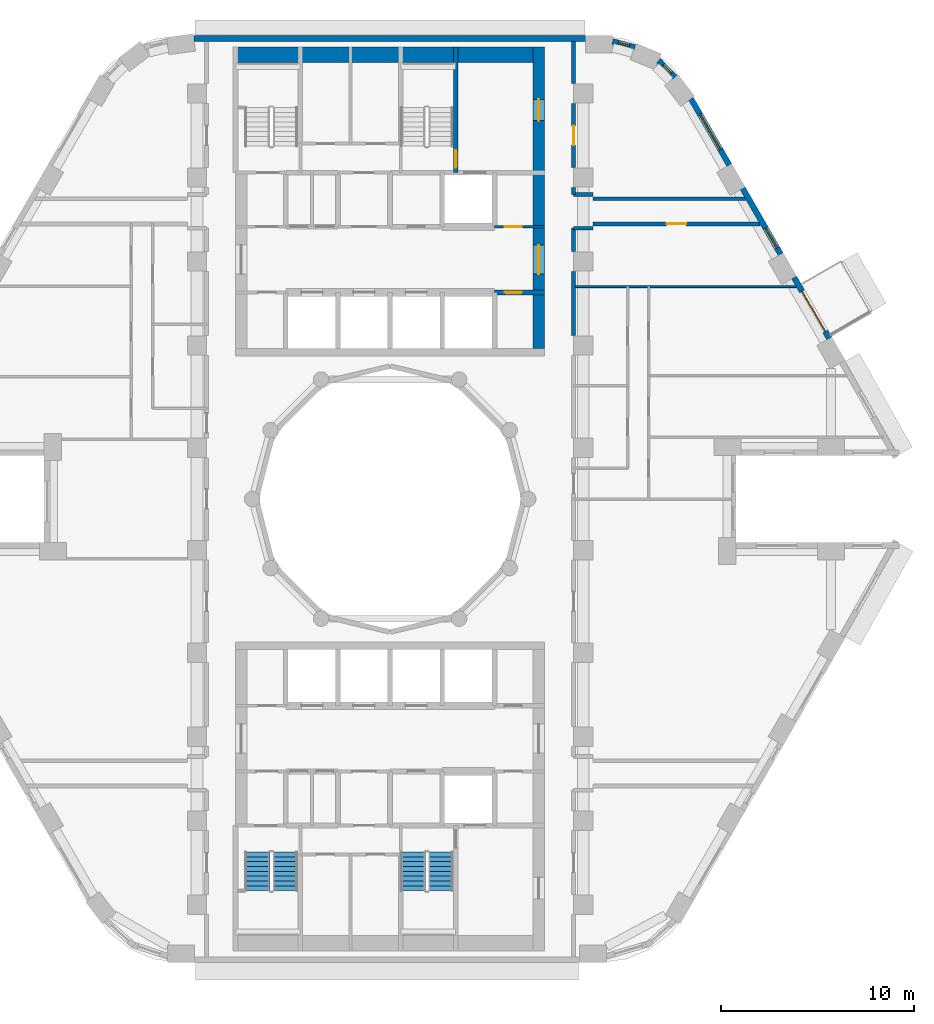
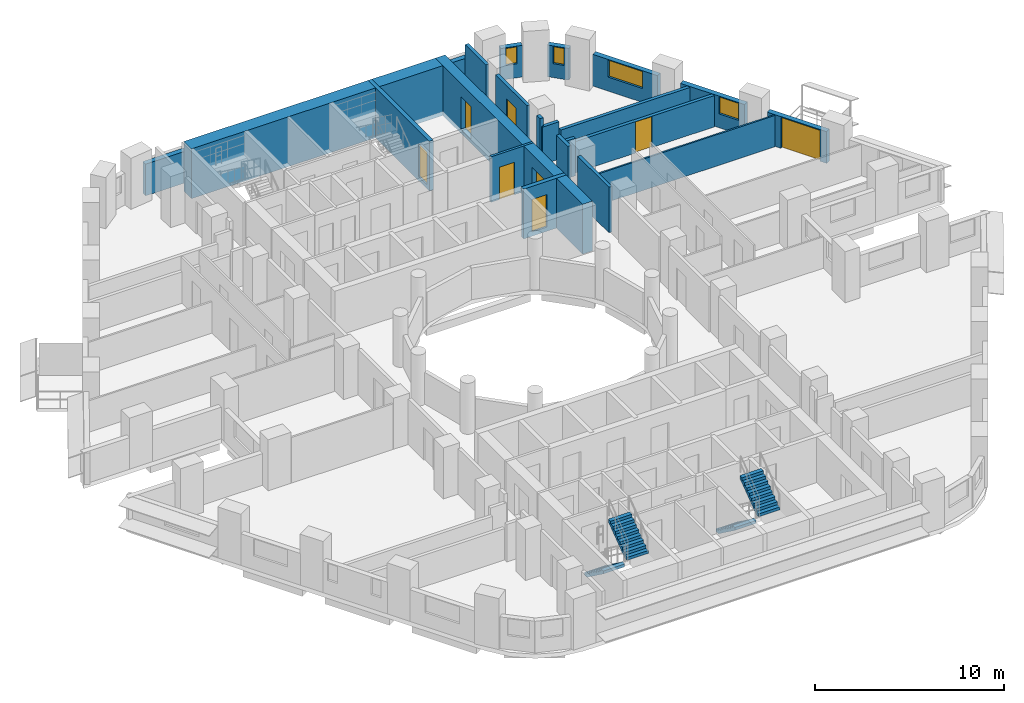
# One storey, part 8 of 14: 21 walls, 8 doors, 4 stair flights, 4 windows, 12 openings, 2 elements without a shape of their own.
"""IFC4 building model written with IfcOpenShell, lengths in metres."""

from ifc_helpers import new_model, si_unit, direction, frame, frame_2d, origin, place, context, subcontext, project, spatial, polyline, rectangle, outline, extrude, material, layer, layer_set, type_object, element, fill, aggregate, save


model = new_model("IFC4")

# Units and contexts
model_context = context("Model", 3, precision=1e-05, world=origin(), true_north=direction((0.0, 1.0)))
body_context = subcontext(model_context, "Body", "Model", "MODEL_VIEW")
ifc_project = project(units=[si_unit("LENGTHUNIT", "METRE"), si_unit("AREAUNIT", "SQUARE_METRE"), si_unit("VOLUMEUNIT", "CUBIC_METRE"), si_unit("PLANEANGLEUNIT", "RADIAN"), si_unit("MASSUNIT", "GRAM", prefix="KILO")], contexts=[model_context])

# Site, building, storey
site_placement = place(None, origin())
site = spatial("IfcSite", under=ifc_project, at=site_placement, CompositionType="ELEMENT")
building_placement = place(site_placement, origin())
building = spatial("IfcBuilding", under=site, at=building_placement, Name="Nakaniwa Court", CompositionType="ELEMENT")
storey_placement = place(building_placement, frame((0.0, 0.0, 117.300048828125)))
storey = spatial("IfcBuildingStorey", under=building, at=storey_placement, Name="L31", CompositionType="ELEMENT", Elevation=117.300048828125)

# Walls
ifc_material_1 = material(Name="Acoustic double stud partition")
ifc_layer_1 = layer(ifc_material_1, 0.199951171875)
ifc_layer_set_1 = layer_set([ifc_layer_1], Name="Acoustic double stud partition")
wall_type_1 = type_object("IfcWallType", Name="Acoustic double stud partition 200", PredefinedType="PARTITIONING", material=ifc_layer_set_1)
wall_1_placement = place(storey_placement, frame((89.5, 88.467041015625, 0.0), z_axis=(0.0, 0.0, 1.0), x_axis=(0.0, 1.0, 0.0)))
element("IfcWall", 1, at=wall_1_placement, inside=storey, type_object=wall_type_1, Name="Partition PW-077", PredefinedType="PARTITIONING", context=body_context, shape_type="SweptSolid", body=[
    extrude(rectangle(XDim=3.31591796875, YDim=0.199951171875, at=frame_2d((1.657958984375, 0.0))), origin(), (0.0, 0.0, 1.0), 2.949951171875),
])
wall_2_placement = place(storey_placement, frame((89.5, 92.81689453125, 0.0), z_axis=(0.0, 0.0, 1.0), x_axis=(0.0, 1.0, 0.0)))
element("IfcWall", 2, at=wall_2_placement, inside=storey, type_object=wall_type_1, Name="Partition PW-078", PredefinedType="PARTITIONING", context=body_context, shape_type="SweptSolid", body=[
    extrude(rectangle(XDim=1.211181640625, YDim=0.199951171875, at=frame_2d((0.60546875, 0.0))), origin(), (0.0, 0.0, 1.0), 2.949951171875),
])
wall_3_placement = place(storey_placement, frame((89.5, 95.77197265625, 0.0), z_axis=(0.0, 0.0, 1.0), x_axis=(0.0, 1.0, 0.0)))
element("IfcWall", 3, at=wall_3_placement, inside=storey, type_object=wall_type_1, Name="Partition PW-079", PredefinedType="PARTITIONING", context=body_context, shape_type="SweptSolid", body=[
    extrude(rectangle(XDim=0.361083984375, YDim=0.199951171875, at=frame_2d((0.1806640625, 0.0))), origin(), (0.0, 0.0, 1.0), 2.949951171875),
])

# Wall, opening, door
wall_4_placement = place(storey_placement, frame((89.5, 100.48291015625, 0.0), z_axis=(0.0, 0.0, 1.0), x_axis=(0.0, -1.0, 0.0)))
wall_4 = element("IfcWall", 4, at=wall_4_placement, inside=storey, type_object=wall_type_1, Name="Partition PW-080", PredefinedType="PARTITIONING", context=body_context, shape_type="SweptSolid", body=[
    extrude(rectangle(XDim=3.31591796875, YDim=0.199951171875, at=frame_2d((1.657958984375, 0.0))), origin(), (0.0, 0.0, 1.0), 2.949951171875),
])
opening_1_placement = place(wall_4_placement, frame((1.157958984375, 0.0, 0.0)))
opening_1 = element("IfcOpeningElement", 5, at=opening_1_placement, cuts=wall_4, Name="Opening D-02-03", PredefinedType="OPENING", context=body_context, shape_type="SweptSolid", body=[
    extrude(rectangle(XDim=1.0, YDim=2.10009765625, at=frame_2d((0.5, 1.050048828125))), frame((0.0, 0.10986328125, 0.0), z_axis=(0.0, -1.0, 0.0), x_axis=(1.0, 0.0, 0.0)), (0.0, 0.0, 1.0), 0.219970703125),
])
ifc_material_2 = material(Name="Solid core timber door set, black veneer", Category="wood")
door_type_1 = type_object("IfcDoorType", Name="Internal door 1000", OperationType="NOTDEFINED", PredefinedType="DOOR", material=ifc_material_2)
door_1_placement = place(opening_1_placement, origin())
door_1 = element("IfcDoor", 6, at=door_1_placement, inside=storey, type_object=door_type_1, Name="Door D-02-03 L31-035", OperationType="SINGLE_SWING_RIGHT", OverallHeight=2.10009765625, OverallWidth=1.0, PredefinedType="DOOR", context=body_context, shape_type="SweptSolid", body=[
    extrude(rectangle(XDim=1.0, YDim=2.10009765625, at=frame_2d((0.5, 1.050048828125))), frame((0.0, 0.02490234375, 0.0), z_axis=(0.0, -1.0, 0.0), x_axis=(1.0, 0.0, 0.0)), (0.0, 0.0, 1.0), 0.050048828125),
])
fill(opening_1, door_1)

# Walls
wall_5_placement = place(storey_placement, frame((89.5, 101.51708984375, 0.0), z_axis=(0.0, 0.0, 1.0), x_axis=(0.0, 1.0, 0.0)))
element("IfcWall", 7, at=wall_5_placement, inside=storey, type_object=wall_type_1, Name="Partition PW-081", PredefinedType="PARTITIONING", context=body_context, shape_type="SweptSolid", body=[
    extrude(rectangle(XDim=2.182861328125, YDim=0.199951171875, at=frame_2d((1.09130859375, 0.0))), origin(), (0.0, 0.0, 1.0), 2.949951171875),
])
wall_6_placement = place(storey_placement, frame((89.5, 95.77490234375, 0.0), z_axis=(0.0, 0.0, 1.0), x_axis=(1.0, 0.0, 0.0)))
element("IfcWall", 8, at=wall_6_placement, inside=storey, type_object=wall_type_1, Name="Partition PW-083", PredefinedType="PARTITIONING", context=body_context, shape_type="SweptSolid", body=[
    extrude(rectangle(XDim=1.0, YDim=0.199951171875, at=frame_2d((0.5, 0.0))), origin(), (0.0, 0.0, 1.0), 2.429931640625),
])
wall_7_placement = place(storey_placement, frame((90.5, 95.550048828125, 0.0), z_axis=(0.0, 0.0, 1.0), x_axis=(1.0, 0.0, 0.0)))
element("IfcWall", 9, at=wall_7_placement, inside=storey, type_object=wall_type_1, Name="Partition PW-085", PredefinedType="PARTITIONING", context=body_context, shape_type="SweptSolid", body=[
    extrude(rectangle(XDim=7.888671875, YDim=0.199951171875, at=frame_2d((3.9443359375, 0.0))), origin(), (0.0, 0.0, 1.0), 2.030029296875),
])

# Wall, opening, door
wall_8_placement = place(storey_placement, frame((99.13916015625, 94.25, 0.0), z_axis=(0.0, 0.0, 1.0), x_axis=(-1.0, 0.0, 0.0)))
wall_8 = element("IfcWall", 10, at=wall_8_placement, inside=storey, type_object=wall_type_1, Name="Partition PW-087", PredefinedType="PARTITIONING", context=body_context, shape_type="SweptSolid", body=[
    extrude(rectangle(XDim=8.63916015625, YDim=0.199951171875, at=frame_2d((4.319580078125, 0.0))), origin(), (0.0, 0.0, 1.0), 2.030029296875),
])
opening_2_placement = place(wall_8_placement, frame((3.819091796875, 0.0, 0.0)))
opening_2 = element("IfcOpeningElement", 11, at=opening_2_placement, cuts=wall_8, Name="Opening D-36-01", PredefinedType="OPENING", context=body_context, shape_type="SweptSolid", body=[
    extrude(rectangle(XDim=1.0, YDim=2.010009765625, at=frame_2d((0.5, 1.0048828125))), frame((0.0, 0.10986328125, 0.0), z_axis=(0.0, -1.0, 0.0), x_axis=(1.0, 0.0, 0.0)), (0.0, 0.0, 1.0), 0.219970703125),
])
door_type_2 = type_object("IfcDoorType", Name="Internal door 1000 x 2010", OperationType="NOTDEFINED", PredefinedType="DOOR", material=ifc_material_2)
door_2_placement = place(opening_2_placement, origin())
door_2 = element("IfcDoor", 12, at=door_2_placement, inside=storey, type_object=door_type_2, Name="Door D-36-01 L31-046", OperationType="SINGLE_SWING_LEFT", OverallHeight=2.010009765625, OverallWidth=1.0, PredefinedType="DOOR", context=body_context, shape_type="SweptSolid", body=[
    extrude(rectangle(XDim=1.0, YDim=2.010009765625, at=frame_2d((0.5, 1.0048828125))), frame((0.0, 0.02490234375, 0.0), z_axis=(0.0, -1.0, 0.0), x_axis=(1.0, 0.0, 0.0)), (0.0, 0.0, 1.0), 0.050048828125),
])
fill(opening_2, door_2)

# Wall
wall_9_placement = place(storey_placement, frame((89.5, 94.02490234375, 0.0), z_axis=(0.0, 0.0, 1.0), x_axis=(1.0, 0.0, 0.0)))
element("IfcWall", 13, at=wall_9_placement, inside=storey, type_object=wall_type_1, Name="Partition PW-089", PredefinedType="PARTITIONING", context=body_context, shape_type="SweptSolid", body=[
    extrude(rectangle(XDim=1.0, YDim=0.199951171875, at=frame_2d((0.5, 0.0))), origin(), (0.0, 0.0, 1.0), 2.429931640625),
])

# Wall, opening, door
ifc_material_3 = material(Name="Charcoal ceramic cladding")
ifc_layer_2 = layer(ifc_material_3, 0.02, Name="Ceramic cladding")
ifc_material_4 = material(Name="Ventilated air cavity")
ifc_layer_3 = layer(ifc_material_4, 0.04, ventilated=True, Name="Ventilated cavity")
ifc_material_5 = material(Name="Mineral wool insulation")
ifc_layer_4 = layer(ifc_material_5, 0.1, Name="Insulation")
ifc_material_6 = material(Name="Cement bonded sheathing board")
ifc_layer_5 = layer(ifc_material_6, 0.012, Name="Sheathing")
ifc_material_7 = material(Name="Cold-formed galvanised stud frame with mineral wool infill")
ifc_layer_6 = layer(ifc_material_7, 0.1, Name="Stud frame")
ifc_material_8 = material(Name="Fire-rated gypsum plasterboard lining")
ifc_layer_7 = layer(ifc_material_8, 0.028, Name="Lining")
ifc_layer_set_2 = layer_set([ifc_layer_2, ifc_layer_3, ifc_layer_4, ifc_layer_5, ifc_layer_6, ifc_layer_7], Name="Charcoal ceramic faced external wall system")
wall_type_2 = type_object("IfcWallType", Name="Black ceramic faced external wall 300", PredefinedType="SOLIDWALL", material=ifc_layer_set_2)
wall_10_placement = place(storey_placement, frame((102.734619140625, 88.322509765625, 0.0), z_axis=(0.0, 0.0, 1.0), x_axis=(-0.500009139881, 0.866020126807, 0.0)))
wall_10 = element("IfcWall", 14, at=wall_10_placement, inside=storey, type_object=wall_type_2, Name="L31 external wall 03", PredefinedType="SOLIDWALL", context=body_context, shape_type="SweptSolid", body=[
    extrude(rectangle(XDim=3.63671875, YDim=0.300048828125, at=frame_2d((1.818359375, 0.0))), origin(), (0.0, 0.0, 1.0), 2.050048828125),
])
opening_3_placement = place(wall_10_placement, frame((0.406982421875, 0.0, 0.0)))
opening_3 = element("IfcOpeningElement", 15, at=opening_3_placement, cuts=wall_10, Name="Opening XD13.01", PredefinedType="OPENING", context=body_context, shape_type="SweptSolid", body=[
    extrude(rectangle(XDim=2.39990234375, YDim=2.0, at=frame_2d((1.199951171875, 1.0))), frame((0.0, 0.159912109375, 0.0), z_axis=(0.0, -1.0, 0.0), x_axis=(1.0, 0.0, 0.0)), (0.0, 0.0, 1.0), 0.320068359375),
])
ifc_material_9 = material(Name="Black powder-coated aluminium frame with dark laminated glass", Category="aluminium")
door_type_3 = type_object("IfcDoorType", Name="Balcony sliding door 2400x2000", OperationType="DOUBLE_DOOR_SLIDING", PredefinedType="DOOR", material=ifc_material_9)
door_3_placement = place(opening_3_placement, origin())
door_3 = element("IfcDoor", 16, at=door_3_placement, inside=storey, type_object=door_type_3, Name="L31 balcony sliding door 02", OperationType="DOUBLE_DOOR_SLIDING", OverallHeight=2.0, OverallWidth=2.39990234375, PredefinedType="DOOR", context=body_context, shape_type="SweptSolid", body=[
    extrude(rectangle(XDim=2.39990234375, YDim=2.0, at=frame_2d((1.199951171875, 1.0))), frame((0.0, 0.02490234375, 0.0), z_axis=(0.0, -1.0, 0.0), x_axis=(1.0, 0.0, 0.0)), (0.0, 0.0, 1.0), 0.050048828125),
])
fill(opening_3, door_3)

# Wall, opening, window
wall_11_placement = place(storey_placement, frame((100.22021484375, 92.677490234375, 0.0), z_axis=(0.0, 0.0, 1.0), x_axis=(-0.499957037901, 0.866050206543, 0.0)))
wall_11 = element("IfcWall", 17, at=wall_11_placement, inside=storey, type_object=wall_type_2, Name="L31 external wall 04", PredefinedType="SOLIDWALL", context=body_context, shape_type="SweptSolid", body=[
    extrude(rectangle(XDim=3.933837890625, YDim=0.300048828125, at=frame_2d((1.966796875, 0.0))), origin(), (0.0, 0.0, 1.0), 2.050048828125),
])
opening_4_placement = place(wall_11_placement, frame((0.368896484375, 0.0, 0.89990234375)))
opening_4 = element("IfcOpeningElement", 18, at=opening_4_placement, cuts=wall_11, Name="Opening W6.04", PredefinedType="OPENING", context=body_context, shape_type="SweptSolid", body=[
    extrude(rectangle(XDim=1.199951171875, YDim=1.10009765625, at=frame_2d((0.60009765625, 0.550048828125))), frame((0.0, 0.159912109375, 0.0), z_axis=(0.0, -1.0, 0.0), x_axis=(1.0, 0.0, 0.0)), (0.0, 0.0, 1.0), 0.320068359375),
])
ifc_material_10 = material(Name="Black anodised aluminium frame with dark low-E laminated double glazing", Category="aluminium")
window_type_1 = type_object("IfcWindowType", Name="Dark glass window 1200x1100 sill 900", PartitioningType="SINGLE_PANEL", PredefinedType="WINDOW", material=ifc_material_10)
window_1_placement = place(opening_4_placement, origin())
window_1 = element("IfcWindow", 19, at=window_1_placement, inside=storey, type_object=window_type_1, Name="L31 habitable room window 04-0", OverallHeight=1.10009765625, OverallWidth=1.199951171875, PartitioningType="SINGLE_PANEL", PredefinedType="WINDOW", context=body_context, shape_type="SweptSolid", body=[
    extrude(rectangle(XDim=1.199951171875, YDim=1.10009765625, at=frame_2d((0.60009765625, 0.550048828125))), frame((0.0, 0.030029296875, 0.0), z_axis=(0.0, -1.0, 0.0), x_axis=(1.0, 0.0, 0.0)), (0.0, 0.0, 1.0), 0.06005859375),
])
fill(opening_4, window_1)

wall_12_placement = place(storey_placement, frame((97.557373046875, 97.289794921875, 0.0), z_axis=(0.0, 0.0, 1.0), x_axis=(-0.500043828347, 0.866000097998, 0.0)))
wall_12 = element("IfcWall", 20, at=wall_12_placement, inside=storey, type_object=wall_type_2, Name="L31 external wall 05", PredefinedType="SOLIDWALL", context=body_context, shape_type="SweptSolid", body=[
    extrude(rectangle(XDim=3.967529296875, YDim=0.300048828125, at=frame_2d((1.98388671875, 0.0))), origin(), (0.0, 0.0, 1.0), 2.050048828125),
])
opening_5_placement = place(wall_12_placement, frame((0.92236328125, 0.0, 0.89990234375)))
opening_5 = element("IfcOpeningElement", 21, at=opening_5_placement, cuts=wall_12, Name="Opening W7.05", PredefinedType="OPENING", context=body_context, shape_type="SweptSolid", body=[
    extrude(rectangle(XDim=2.10009765625, YDim=1.10009765625, at=frame_2d((1.050048828125, 0.550048828125))), frame((0.0, 0.159912109375, 0.0), z_axis=(0.0, -1.0, 0.0), x_axis=(1.0, 0.0, 0.0)), (0.0, 0.0, 1.0), 0.320068359375),
])
window_type_2 = type_object("IfcWindowType", Name="Dark glass window 2100x1100 sill 900", PartitioningType="SINGLE_PANEL", PredefinedType="WINDOW", material=ifc_material_10)
window_2_placement = place(opening_5_placement, origin())
window_2 = element("IfcWindow", 22, at=window_2_placement, inside=storey, type_object=window_type_2, Name="L31 habitable room window 05-0", OverallHeight=1.10009765625, OverallWidth=2.10009765625, PartitioningType="SINGLE_PANEL", PredefinedType="WINDOW", context=body_context, shape_type="SweptSolid", body=[
    extrude(rectangle(XDim=2.10009765625, YDim=1.10009765625, at=frame_2d((1.050048828125, 0.550048828125))), frame((0.0, 0.030029296875, 0.0), z_axis=(0.0, -1.0, 0.0), x_axis=(1.0, 0.0, 0.0)), (0.0, 0.0, 1.0), 0.06005859375),
])
fill(opening_5, window_2)

wall_13_placement = place(storey_placement, frame((94.738037109375, 101.839111328125, 0.0), z_axis=(0.0, 0.0, 1.0), x_axis=(-0.697032216592, 0.717039809936, 0.0)))
wall_13 = element("IfcWall", 23, at=wall_13_placement, inside=storey, type_object=wall_type_2, Name="L31 external wall 06", PredefinedType="SOLIDWALL", context=body_context, shape_type="SweptSolid", body=[
    extrude(rectangle(XDim=1.2080078125, YDim=0.300048828125, at=frame_2d((0.60400390625, 0.0))), origin(), (0.0, 0.0, 1.0), 2.050048828125),
])
opening_6_placement = place(wall_13_placement, frame((0.279296875, 0.0, 0.89990234375)))
opening_6 = element("IfcOpeningElement", 24, at=opening_6_placement, cuts=wall_13, Name="Opening W8.06", PredefinedType="OPENING", context=body_context, shape_type="SweptSolid", body=[
    extrude(rectangle(XDim=0.60009765625, YDim=1.10009765625, at=frame_2d((0.300048828125, 0.550048828125))), frame((0.0, 0.159912109375, 0.0), z_axis=(0.0, -1.0, 0.0), x_axis=(1.0, 0.0, 0.0)), (0.0, 0.0, 1.0), 0.320068359375),
])
window_type_3 = type_object("IfcWindowType", Name="Dark glass window 600x1100 sill 900", PartitioningType="SINGLE_PANEL", PredefinedType="WINDOW", material=ifc_material_10)
window_3_placement = place(opening_6_placement, origin())
window_3 = element("IfcWindow", 25, at=window_3_placement, inside=storey, type_object=window_type_3, Name="L31 habitable room window 06-0", OverallHeight=1.10009765625, OverallWidth=0.60009765625, PartitioningType="SINGLE_PANEL", PredefinedType="WINDOW", context=body_context, shape_type="SweptSolid", body=[
    extrude(rectangle(XDim=0.60009765625, YDim=1.10009765625, at=frame_2d((0.300048828125, 0.550048828125))), frame((0.0, 0.030029296875, 0.0), z_axis=(0.0, -1.0, 0.0), x_axis=(1.0, 0.0, 0.0)), (0.0, 0.0, 1.0), 0.06005859375),
])
fill(opening_6, window_3)

wall_14_placement = place(storey_placement, frame((92.669189453125, 103.3818359375, 0.0), z_axis=(0.0, 0.0, 1.0), x_axis=(-0.965278131029, 0.261224290136, 0.0)))
wall_14 = element("IfcWall", 26, at=wall_14_placement, inside=storey, type_object=wall_type_2, Name="L31 external wall 07", PredefinedType="SOLIDWALL", context=body_context, shape_type="SweptSolid", body=[
    extrude(rectangle(XDim=1.189697265625, YDim=0.300048828125, at=frame_2d((0.5947265625, 0.0))), origin(), (0.0, 0.0, 1.0), 2.050048828125),
])
opening_7_placement = place(wall_14_placement, frame((0.28466796875, 0.0, 0.89990234375)))
opening_7 = element("IfcOpeningElement", 27, at=opening_7_placement, cuts=wall_14, Name="Opening W8.07", PredefinedType="OPENING", context=body_context, shape_type="SweptSolid", body=[
    extrude(rectangle(XDim=0.60009765625, YDim=1.10009765625, at=frame_2d((0.300048828125, 0.550048828125))), frame((0.0, 0.159912109375, 0.0), z_axis=(0.0, -1.0, 0.0), x_axis=(1.0, 0.0, 0.0)), (0.0, 0.0, 1.0), 0.320068359375),
])
window_4_placement = place(opening_7_placement, origin())
window_4 = element("IfcWindow", 28, at=window_4_placement, inside=storey, type_object=window_type_3, Name="L31 habitable room window 07-0", OverallHeight=1.10009765625, OverallWidth=0.60009765625, PartitioningType="SINGLE_PANEL", PredefinedType="WINDOW", context=body_context, shape_type="SweptSolid", body=[
    extrude(rectangle(XDim=0.60009765625, YDim=1.10009765625, at=frame_2d((0.300048828125, 0.550048828125))), frame((0.0, 0.030029296875, 0.0), z_axis=(0.0, -1.0, 0.0), x_axis=(1.0, 0.0, 0.0)), (0.0, 0.0, 1.0), 0.06005859375),
])
fill(opening_7, window_4)

# Wall
wall_15_placement = place(storey_placement, frame((90.128662109375, 103.85009765625, 0.0), z_axis=(0.0, 0.0, 1.0), x_axis=(-1.0, 0.0, 0.0)))
element("IfcWall", 29, at=wall_15_placement, inside=storey, type_object=wall_type_2, Name="L31 external wall 08", PredefinedType="SOLIDWALL", context=body_context, shape_type="SweptSolid", body=[
    extrude(rectangle(XDim=20.290771484375, YDim=0.300048828125, at=frame_2d((10.1455078125, 0.0))), origin(), (0.0, 0.0, 1.0), 2.050048828125),
])

# Wall, opening, door
ifc_material_11 = material(Name="Blockwork partition", Category="masonry")
ifc_layer_8 = layer(ifc_material_11, 0.14990234375)
ifc_layer_set_3 = layer_set([ifc_layer_8], Name="Blockwork partition")
wall_type_3 = type_object("IfcWallType", Name="Blockwork partition 150", PredefinedType="PARTITIONING", material=ifc_layer_set_3)
wall_16_placement = place(storey_placement, frame((85.39697265625, 94.10009765625, 0.0), z_axis=(0.0, 0.0, 1.0), x_axis=(1.0, 0.0, 0.0)))
wall_16 = element("IfcWall", 30, at=wall_16_placement, inside=storey, type_object=wall_type_3, Name="Partition PW-018", PredefinedType="PARTITIONING", context=body_context, shape_type="SweptSolid", body=[
    extrude(rectangle(XDim=2.60302734375, YDim=0.14990234375, at=frame_2d((1.301513671875, 0.0))), origin(), (0.0, 0.0, 1.0), 2.949951171875),
])
opening_8_placement = place(wall_16_placement, frame((0.528076171875, 0.0, 0.0)))
opening_8 = element("IfcOpeningElement", 31, at=opening_8_placement, cuts=wall_16, Name="Opening D-05-06", PredefinedType="OPENING", context=body_context, shape_type="SweptSolid", body=[
    extrude(rectangle(XDim=0.89990234375, YDim=2.10009765625, at=frame_2d((0.449951171875, 1.050048828125))), frame((0.0, 0.0849609375, 0.0), z_axis=(0.0, -1.0, 0.0), x_axis=(1.0, 0.0, 0.0)), (0.0, 0.0, 1.0), 0.169921875),
])
ifc_material_12 = material(Name="Fire rated steel door set", Category="steel")
door_type_4 = type_object("IfcDoorType", Name="Service room door 900", OperationType="NOTDEFINED", PredefinedType="DOOR", material=ifc_material_12)
door_4_placement = place(opening_8_placement, origin())
door_4 = element("IfcDoor", 32, at=door_4_placement, inside=storey, type_object=door_type_4, Name="Door D-05-06 L31-008", OperationType="SINGLE_SWING_LEFT", OverallHeight=2.10009765625, OverallWidth=0.89990234375, PredefinedType="DOOR", context=body_context, shape_type="SweptSolid", body=[
    extrude(rectangle(XDim=0.89990234375, YDim=2.10009765625, at=frame_2d((0.449951171875, 1.050048828125))), frame((0.0, 0.02490234375, 0.0), z_axis=(0.0, -1.0, 0.0), x_axis=(1.0, 0.0, 0.0)), (0.0, 0.0, 1.0), 0.050048828125),
])
fill(opening_8, door_4)

# Wall, openings, doors
ifc_material_13 = material(Name="Concrete C80/100", Category="concrete")
ifc_layer_9 = layer(ifc_material_13, 0.60009765625)
ifc_layer_set_4 = layer_set([ifc_layer_9], Name="Concrete C80/100")
wall_type_4 = type_object("IfcWallType", Name="Concrete core side wall 600 C80", PredefinedType="SHEAR", material=ifc_layer_set_4)
wall_17_placement = place(storey_placement, frame((87.699951171875, 103.39990234375, -0.275146484375), z_axis=(0.0, 0.0, 1.0), x_axis=(0.0, -1.0, 0.0)))
wall_17 = element("IfcWall", 33, at=wall_17_placement, inside=storey, type_object=wall_type_4, Name="Core wall SW-15", PredefinedType="SHEAR", context=body_context, shape_type="SweptSolid", body=[
    extrude(rectangle(XDim=15.599853515625, YDim=0.60009765625, at=frame_2d((7.7998046875, 0.0))), origin(), (0.0, 0.0, 1.0), 3.22509765625),
])
opening_9_placement = place(wall_17_placement, frame((10.25, 0.0, 0.27490234375)))
opening_9 = element("IfcOpeningElement", 34, at=opening_9_placement, cuts=wall_17, Name="Opening D-07-01", PredefinedType="OPENING", context=body_context, shape_type="SweptSolid", body=[
    extrude(rectangle(XDim=1.5, YDim=2.10009765625, at=frame_2d((0.75, 1.050048828125))), frame((0.0, 0.31005859375, 0.0), z_axis=(0.0, -1.0, 0.0), x_axis=(1.0, 0.0, 0.0)), (0.0, 0.0, 1.0), 0.6201171875),
])
opening_10_placement = place(wall_17_placement, frame((2.699951171875, 0.0, 0.27490234375)))
opening_10 = element("IfcOpeningElement", 35, at=opening_10_placement, cuts=wall_17, Name="Opening D-10-01", PredefinedType="OPENING", context=body_context, shape_type="SweptSolid", body=[
    extrude(rectangle(XDim=1.10009765625, YDim=2.10009765625, at=frame_2d((0.550048828125, 1.050048828125))), frame((0.0, 0.31005859375, 0.0), z_axis=(0.0, -1.0, 0.0), x_axis=(1.0, 0.0, 0.0)), (0.0, 0.0, 1.0), 0.6201171875),
])
door_type_5 = type_object("IfcDoorType", Name="Firefighting lobby door 1100", OperationType="NOTDEFINED", PredefinedType="DOOR", material=ifc_material_12)
door_5_placement = place(opening_10_placement, origin())
door_5 = element("IfcDoor", 36, at=door_5_placement, inside=storey, type_object=door_type_5, Name="Door D-10-01 L31-049", OperationType="SINGLE_SWING_RIGHT", OverallHeight=2.10009765625, OverallWidth=1.10009765625, PredefinedType="DOOR", context=body_context, shape_type="SweptSolid", body=[
    extrude(rectangle(XDim=1.10009765625, YDim=2.10009765625, at=frame_2d((0.550048828125, 1.050048828125))), frame((0.0, 0.02490234375, 0.0), z_axis=(0.0, -1.0, 0.0), x_axis=(1.0, 0.0, 0.0)), (0.0, 0.0, 1.0), 0.050048828125),
])
fill(opening_10, door_5)
ifc_material_14 = material(Name="Glazed fire rated steel double door set", Category="steel")
door_type_6 = type_object("IfcDoorType", Name="Lobby double door 1500", OperationType="NOTDEFINED", PredefinedType="DOOR", material=ifc_material_14)
door_6_placement = place(opening_9_placement, origin())
door_6 = element("IfcDoor", 37, at=door_6_placement, inside=storey, type_object=door_type_6, Name="Door D-07-01 L31-047", OperationType="DOUBLE_DOOR_SINGLE_SWING", OverallHeight=2.10009765625, OverallWidth=1.5, PredefinedType="DOOR", context=body_context, shape_type="SweptSolid", body=[
    extrude(rectangle(XDim=1.5, YDim=2.10009765625, at=frame_2d((0.75, 1.050048828125))), frame((0.0, 0.02490234375, 0.0), z_axis=(0.0, -1.0, 0.0), x_axis=(1.0, 0.0, 0.0)), (0.0, 0.0, 1.0), 0.050048828125),
])
fill(opening_9, door_6)

# Wall
ifc_layer_10 = layer(ifc_material_13, 0.800048828125)
ifc_layer_set_5 = layer_set([ifc_layer_10], Name="Concrete C80/100")
wall_type_5 = type_object("IfcWallType", Name="Concrete core wall 800 C80", PredefinedType="SHEAR", material=ifc_layer_set_5)
wall_18_placement = place(storey_placement, frame((72.00390625, 103.0, -0.275146484375), z_axis=(0.0, 0.0, 1.0), x_axis=(1.0, 0.0, 0.0)))
element("IfcWall", 38, at=wall_18_placement, inside=storey, type_object=wall_type_5, Name="Core wall SW-128", PredefinedType="SHEAR", context=body_context, shape_type="SweptSolid", body=[
    extrude(rectangle(XDim=15.9921875, YDim=0.800048828125, at=frame_2d((7.99609375, 0.0))), origin(), (0.0, 0.0, 1.0), 3.22509765625),
])

# Wall, opening, door
ifc_layer_11 = layer(ifc_material_13, 0.25)
ifc_layer_set_6 = layer_set([ifc_layer_11], Name="Concrete C80/100")
wall_type_6 = type_object("IfcWallType", Name="Concrete shaft wall 250 C80", PredefinedType="SHEAR", material=ifc_layer_set_6)
wall_19_placement = place(storey_placement, frame((88.0, 90.699951171875, -0.275146484375), z_axis=(0.0, 0.0, 1.0), x_axis=(-1.0, 0.0, 0.0)))
wall_19 = element("IfcWall", 39, at=wall_19_placement, inside=storey, type_object=wall_type_6, Name="Core wall SW-14", PredefinedType="SHEAR", context=body_context, shape_type="SweptSolid", body=[
    extrude(rectangle(XDim=2.60009765625, YDim=0.25, at=frame_2d((1.300048828125, 0.0))), origin(), (0.0, 0.0, 1.0), 3.22509765625),
])
opening_11_placement = place(wall_19_placement, frame((1.175048828125, 0.0, 0.27490234375)))
opening_11 = element("IfcOpeningElement", 40, at=opening_11_placement, cuts=wall_19, Name="Opening D-05-02", PredefinedType="OPENING", context=body_context, shape_type="SweptSolid", body=[
    extrude(rectangle(XDim=0.89990234375, YDim=2.10009765625, at=frame_2d((0.449951171875, 1.050048828125))), frame((0.0, 0.135009765625, 0.0), z_axis=(0.0, -1.0, 0.0), x_axis=(1.0, 0.0, 0.0)), (0.0, 0.0, 1.0), 0.27001953125),
])
door_7_placement = place(opening_11_placement, origin())
door_7 = element("IfcDoor", 41, at=door_7_placement, inside=storey, type_object=door_type_4, Name="Door D-05-02 L31-002", OperationType="SINGLE_SWING_LEFT", OverallHeight=2.10009765625, OverallWidth=0.89990234375, PredefinedType="DOOR", context=body_context, shape_type="SweptSolid", body=[
    extrude(rectangle(XDim=0.89990234375, YDim=2.10009765625, at=frame_2d((0.449951171875, 1.050048828125))), frame((0.0, 0.02490234375, 0.0), z_axis=(0.0, -1.0, 0.0), x_axis=(1.0, 0.0, 0.0)), (0.0, 0.0, 1.0), 0.050048828125),
])
fill(opening_11, door_7)

wall_20_placement = place(storey_placement, frame((83.39990234375, 103.39990234375, -0.275146484375), z_axis=(0.0, 0.0, 1.0), x_axis=(0.0, -1.0, 0.0)))
wall_20 = element("IfcWall", 42, at=wall_20_placement, inside=storey, type_object=wall_type_6, Name="Core wall SW-30", PredefinedType="SHEAR", context=body_context, shape_type="SweptSolid", body=[
    extrude(rectangle(XDim=6.5, YDim=0.25, at=frame_2d((3.25, 0.0))), origin(), (0.0, 0.0, 1.0), 3.22509765625),
])
opening_12_placement = place(wall_20_placement, frame((5.35009765625, 0.0, 0.27490234375)))
opening_12 = element("IfcOpeningElement", 43, at=opening_12_placement, cuts=wall_20, Name="Opening D-11-01", PredefinedType="OPENING", context=body_context, shape_type="SweptSolid", body=[
    extrude(rectangle(XDim=0.89990234375, YDim=2.10009765625, at=frame_2d((0.449951171875, 1.050048828125))), frame((0.0, 0.135009765625, 0.0), z_axis=(0.0, -1.0, 0.0), x_axis=(1.0, 0.0, 0.0)), (0.0, 0.0, 1.0), 0.27001953125),
])
door_type_7 = type_object("IfcDoorType", Name="Stair door 900", OperationType="NOTDEFINED", PredefinedType="DOOR", material=ifc_material_12)
door_8_placement = place(opening_12_placement, origin())
door_8 = element("IfcDoor", 44, at=door_8_placement, inside=storey, type_object=door_type_7, Name="Door D-11-01 L31-013", OperationType="SINGLE_SWING_LEFT", OverallHeight=2.10009765625, OverallWidth=0.89990234375, PredefinedType="DOOR", context=body_context, shape_type="SweptSolid", body=[
    extrude(rectangle(XDim=0.89990234375, YDim=2.10009765625, at=frame_2d((0.449951171875, 1.050048828125))), frame((0.0, 0.02490234375, 0.0), z_axis=(0.0, -1.0, 0.0), x_axis=(1.0, 0.0, 0.0)), (0.0, 0.0, 1.0), 0.050048828125),
])
fill(opening_12, door_8)

# Wall
ifc_material_15 = material(Name="Single stud plasterboard partition")
ifc_layer_12 = layer(ifc_material_15, 0.10009765625)
ifc_layer_set_7 = layer_set([ifc_layer_12], Name="Single stud plasterboard partition")
wall_type_7 = type_object("IfcWallType", Name="Single stud plasterboard partition 100", PredefinedType="PARTITIONING", material=ifc_layer_set_7)
wall_21_placement = place(storey_placement, frame((89.5, 91.0, 0.0), z_axis=(0.0, 0.0, 1.0), x_axis=(1.0, 0.0, 0.0)))
element("IfcWall", 45, at=wall_21_placement, inside=storey, type_object=wall_type_7, Name="Partition PW-115", PredefinedType="PARTITIONING", context=body_context, shape_type="SweptSolid", body=[
    extrude(rectangle(XDim=11.515380859375, YDim=0.10009765625, at=frame_2d((5.7578125, 0.0))), origin(), (0.0, 0.0, 1.0), 2.030029296875),
])

# Stair, stair flights
stair_type = type_object("IfcStairType", Name="Dog leg stair 1300 wide 18 risers", PredefinedType="HALF_TURN_STAIR", material=ifc_material_13)
stair_1_placement = place(storey_placement, origin())
stair_1 = element("IfcStair", 46, at=stair_1_placement, inside=storey, type_object=stair_type, Name="L31 Stair ST3", PredefinedType="HALF_TURN_STAIR")
stair_flight_type = type_object("IfcStairFlightType", Name="Stair flight 1300 wide 9 risers", PredefinedType="STRAIGHT", material=ifc_material_13)
stair_flight_1_placement = place(storey_placement, frame((73.125, 61.72509765625, 0.0), z_axis=(0.0, 0.0, 1.0), x_axis=(0.0, -1.0, 0.0)))
stair_flight_1 = element("IfcStairFlight", 47, at=stair_flight_1_placement, type_object=stair_flight_type, Name="ST3 flight 1", NumberOfRisers=9, NumberOfTreads=8, PredefinedType="STRAIGHT", RiserHeight=0.183333333, TreadLength=0.25, context=body_context, shape_type="SweptSolid", body=[
    extrude(outline(polyline([(0.0, 0.0), (0.0, 0.026123046875), (0.0, 0.052490234375), (0.0, 0.07861328125), (0.0, 0.104736328125), (0.0, 0.130859375), (0.0, 0.1572265625), (0.0, 0.183349609375), (0.25, 0.183349609375), (0.25, 0.36669921875), (0.5, 0.36669921875), (0.5, 0.550048828125), (0.75, 0.550048828125), (0.75, 0.7333984375), (1.0, 0.7333984375), (1.0, 0.916748046875), (1.25, 0.916748046875), (1.25, 1.10009765625), (1.5, 1.10009765625), (1.5, 1.283447265625), (1.75, 1.283447265625), (1.75, 1.466552734375), (2.0, 1.466552734375), (2.0, 1.64990234375), (2.0, 1.59716796875), (2.0, 1.54443359375), (2.0, 1.49169921875), (2.0, 1.43896484375), (2.0, 1.38623046875), (2.0, 1.33349609375), (2.0, 1.28076171875), (0.25341796875, 0.0), (0.0, 0.0)])), frame((0.0, 0.64990234375, 0.0), z_axis=(0.0, -1.0, 0.0), x_axis=(1.0, 0.0, 0.0)), (0.0, 0.0, 1.0), 1.300048828125),
])
stair_flight_2_placement = place(storey_placement, frame((74.574951171875, 59.72509765625, 1.64990234375), z_axis=(0.0, 0.0, 1.0), x_axis=(0.0, 1.0, 0.0)))
stair_flight_2 = element("IfcStairFlight", 48, at=stair_flight_2_placement, type_object=stair_flight_type, Name="ST3 flight 2", NumberOfRisers=9, NumberOfTreads=8, PredefinedType="STRAIGHT", RiserHeight=0.183333333, TreadLength=0.25, context=body_context, shape_type="SweptSolid", body=[
    extrude(outline(polyline([(0.0, 0.0), (0.0, 0.026123046875), (0.0, 0.052490234375), (0.0, 0.07861328125), (0.0, 0.104736328125), (0.0, 0.130859375), (0.0, 0.1572265625), (0.0, 0.183349609375), (0.25, 0.183349609375), (0.25, 0.36669921875), (0.5, 0.36669921875), (0.5, 0.550048828125), (0.75, 0.550048828125), (0.75, 0.7333984375), (1.0, 0.7333984375), (1.0, 0.916748046875), (1.25, 0.916748046875), (1.25, 1.10009765625), (1.5, 1.10009765625), (1.5, 1.283447265625), (1.75, 1.283447265625), (1.75, 1.466552734375), (2.0, 1.466552734375), (2.0, 1.64990234375), (2.0, 1.59716796875), (2.0, 1.54443359375), (2.0, 1.49169921875), (2.0, 1.43896484375), (2.0, 1.38623046875), (2.0, 1.33349609375), (2.0, 1.28076171875), (0.25341796875, 0.0), (0.0, 0.0)])), frame((0.0, 0.64990234375, 0.0), z_axis=(0.0, -1.0, 0.0), x_axis=(1.0, 0.0, 0.0)), (0.0, 0.0, 1.0), 1.300048828125),
])
aggregate(stair_1, [stair_flight_1, stair_flight_2])

stair_2_placement = place(storey_placement, origin())
stair_2 = element("IfcStair", 49, at=stair_2_placement, inside=storey, type_object=stair_type, Name="L31 Stair ST4", PredefinedType="HALF_TURN_STAIR")
stair_flight_3_placement = place(storey_placement, frame((81.175048828125, 61.72509765625, 0.0), z_axis=(0.0, 0.0, 1.0), x_axis=(0.0, -1.0, 0.0)))
stair_flight_3 = element("IfcStairFlight", 50, at=stair_flight_3_placement, type_object=stair_flight_type, Name="ST4 flight 1", NumberOfRisers=9, NumberOfTreads=8, PredefinedType="STRAIGHT", RiserHeight=0.183333333, TreadLength=0.25, context=body_context, shape_type="SweptSolid", body=[
    extrude(outline(polyline([(0.0, 0.0), (0.0, 0.026123046875), (0.0, 0.052490234375), (0.0, 0.07861328125), (0.0, 0.104736328125), (0.0, 0.130859375), (0.0, 0.1572265625), (0.0, 0.183349609375), (0.25, 0.183349609375), (0.25, 0.36669921875), (0.5, 0.36669921875), (0.5, 0.550048828125), (0.75, 0.550048828125), (0.75, 0.7333984375), (1.0, 0.7333984375), (1.0, 0.916748046875), (1.25, 0.916748046875), (1.25, 1.10009765625), (1.5, 1.10009765625), (1.5, 1.283447265625), (1.75, 1.283447265625), (1.75, 1.466552734375), (2.0, 1.466552734375), (2.0, 1.64990234375), (2.0, 1.59716796875), (2.0, 1.54443359375), (2.0, 1.49169921875), (2.0, 1.43896484375), (2.0, 1.38623046875), (2.0, 1.33349609375), (2.0, 1.28076171875), (0.25341796875, 0.0), (0.0, 0.0)])), frame((0.0, 0.64990234375, 0.0), z_axis=(0.0, -1.0, 0.0), x_axis=(1.0, 0.0, 0.0)), (0.0, 0.0, 1.0), 1.300048828125),
])
stair_flight_4_placement = place(storey_placement, frame((82.625, 59.72509765625, 1.64990234375), z_axis=(0.0, 0.0, 1.0), x_axis=(0.0, 1.0, 0.0)))
stair_flight_4 = element("IfcStairFlight", 51, at=stair_flight_4_placement, type_object=stair_flight_type, Name="ST4 flight 2", NumberOfRisers=9, NumberOfTreads=8, PredefinedType="STRAIGHT", RiserHeight=0.183333333, TreadLength=0.25, context=body_context, shape_type="SweptSolid", body=[
    extrude(outline(polyline([(0.0, 0.0), (0.0, 0.026123046875), (0.0, 0.052490234375), (0.0, 0.07861328125), (0.0, 0.104736328125), (0.0, 0.130859375), (0.0, 0.1572265625), (0.0, 0.183349609375), (0.25, 0.183349609375), (0.25, 0.36669921875), (0.5, 0.36669921875), (0.5, 0.550048828125), (0.75, 0.550048828125), (0.75, 0.7333984375), (1.0, 0.7333984375), (1.0, 0.916748046875), (1.25, 0.916748046875), (1.25, 1.10009765625), (1.5, 1.10009765625), (1.5, 1.283447265625), (1.75, 1.283447265625), (1.75, 1.466552734375), (2.0, 1.466552734375), (2.0, 1.64990234375), (2.0, 1.59716796875), (2.0, 1.54443359375), (2.0, 1.49169921875), (2.0, 1.43896484375), (2.0, 1.38623046875), (2.0, 1.33349609375), (2.0, 1.28076171875), (0.25341796875, 0.0), (0.0, 0.0)])), frame((0.0, 0.64990234375, 0.0), z_axis=(0.0, -1.0, 0.0), x_axis=(1.0, 0.0, 0.0)), (0.0, 0.0, 1.0), 1.300048828125),
])
aggregate(stair_2, [stair_flight_3, stair_flight_4])

save(model, "model.ifc")
